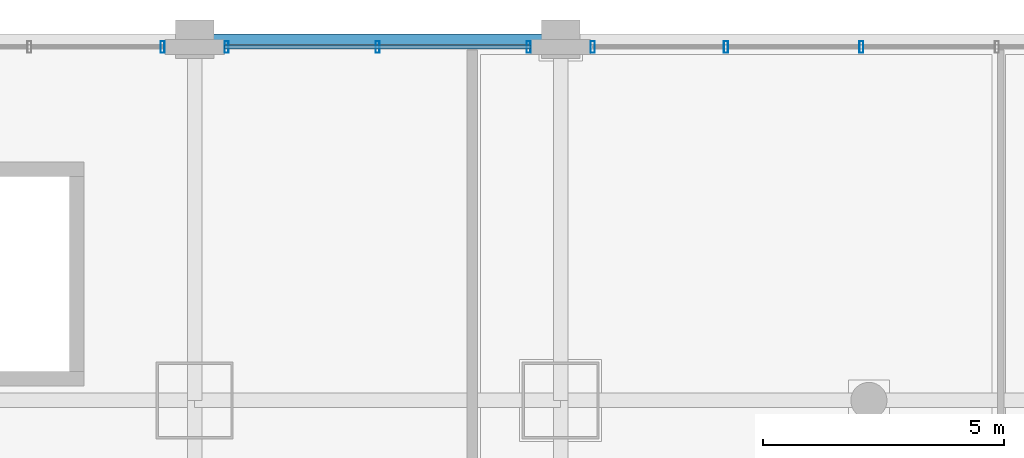
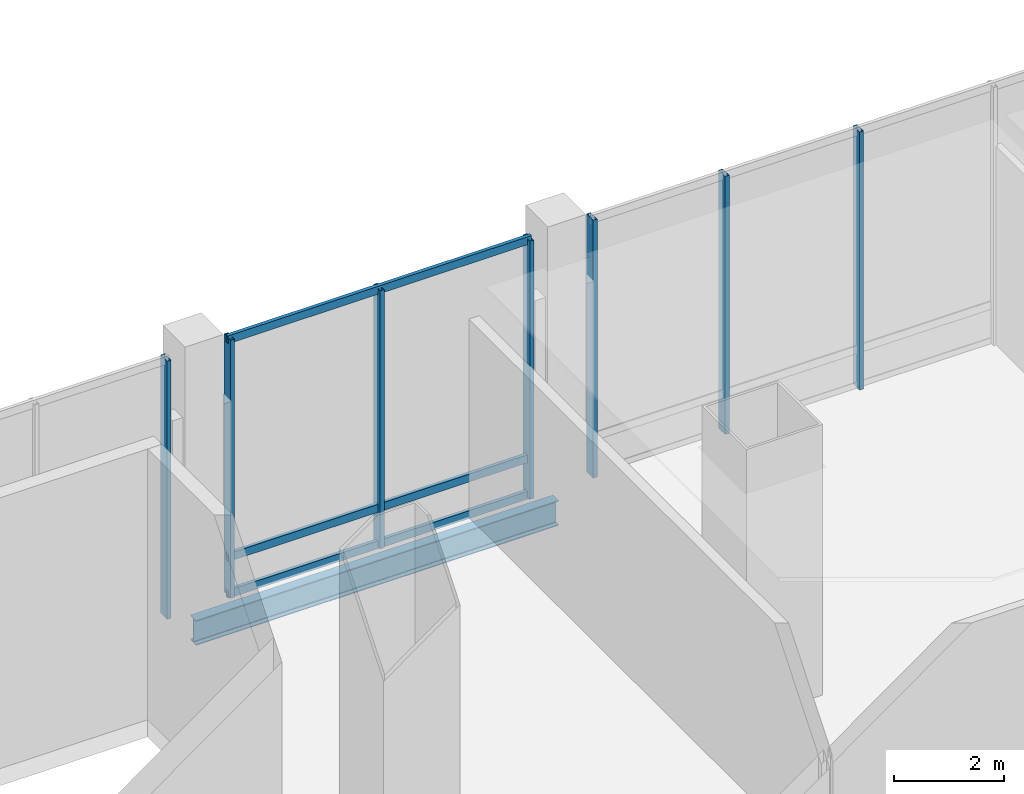
# One storey, part 16 of 38: 10 members, 1 beam, 3 elements without a shape of their own.
"""IFC4 building model written with IfcOpenShell, lengths in metres."""

from ifc_helpers import new_model, si_unit, direction, frame, origin, origin_2d, place, context, subcontext, project, spatial, hollow_rectangle, i_section, extrude, material, material_profile, profile_set, type_object, element, aggregate, save


model = new_model("IFC4")

# Units and contexts
model_context = context("Model", 3, precision=1e-05, world=origin(), true_north=direction((0.0, 1.0)))
body_context = subcontext(model_context, "Body", "Model", "MODEL_VIEW")
ifc_project = project(units=[si_unit("LENGTHUNIT", "METRE"), si_unit("AREAUNIT", "SQUARE_METRE"), si_unit("VOLUMEUNIT", "CUBIC_METRE"), si_unit("PLANEANGLEUNIT", "RADIAN"), si_unit("MASSUNIT", "GRAM", prefix="KILO")], contexts=[model_context])

# Site, building, storey
site_placement = place(None, origin())
site = spatial("IfcSite", under=ifc_project, at=site_placement, CompositionType="ELEMENT")
building_placement = place(site_placement, origin())
building = spatial("IfcBuilding", under=site, at=building_placement, Name="Punatoya Terracotta Tower", CompositionType="ELEMENT")
storey_placement = place(building_placement, frame((0.0, 0.0, 22.199951171875)))
storey = spatial("IfcBuildingStorey", under=building, at=storey_placement, Name="L04", CompositionType="ELEMENT", Elevation=22.199951171875)

# Beam
ifc_material_1 = material(Name="Steel S355", Category="steel")
ifc_material_profile_1 = material_profile(ifc_material_1, i_section(OverallWidth=0.2099609375, OverallDepth=0.550048828125, WebThickness=0.010986328125, FlangeThickness=0.01708984375, FilletRadius=0.01806640625, at=origin_2d()))
ifc_profile_set_1 = profile_set([ifc_material_profile_1], Name="Steel S355")
beam_type = type_object("IfcBeamType", Name="BM-SPN-550", PredefinedType="SPANDREL", material=ifc_profile_set_1)
beam_placement = place(storey_placement, frame((-3.800048828125, 25.0, -0.655029296875), z_axis=(1.0, 0.0, 0.0), x_axis=(0.0, 1.0, 0.0)))
element("IfcBeam", 1, at=beam_placement, inside=storey, type_object=beam_type, Name="BM-L04-MIDH-2", PredefinedType="SPANDREL", context=body_context, shape_type="SweptSolid", body=[
    extrude(i_section(OverallWidth=0.2099609375, OverallDepth=0.550048828125, WebThickness=0.010986328125, FlangeThickness=0.01708984375, FilletRadius=0.01806640625, at=origin_2d()), origin(), (0.0, 0.0, 1.0), 7.60009765625),
])

# Curtain wall, member
ifc_material_2 = material(Name="Aluminium 6063-T6 + Double Low-E Glass", Category="aluminium")
curtain_wall_type = type_object("IfcCurtainWallType", Name="CW-POD", PredefinedType="NOTDEFINED", material=ifc_material_2)
curtain_wall_1_placement = place(storey_placement, origin())
curtain_wall_1 = element("IfcCurtainWall", 2, at=curtain_wall_1_placement, inside=storey, type_object=curtain_wall_type, Name="L04 Curtain Wall CWP-L04-N3", PredefinedType="NOTDEFINED")
ifc_material_3 = material(Name="Aluminium 6063-T6", Category="aluminium")
ifc_material_profile_2 = material_profile(ifc_material_3, hollow_rectangle(XDim=0.0849609375, YDim=0.239990234375, WallThickness=0.0048828125, at=origin_2d()))
ifc_profile_set_2 = profile_set([ifc_material_profile_2], Name="Aluminium 6063-T6")
member_type_1 = type_object("IfcMemberType", Name="CW-MUL-POD", PredefinedType="MULLION", material=ifc_profile_set_2)
member_1_placement = place(storey_placement, frame((-4.465087890625, 24.840087890625, 0.0), z_axis=(0.0, 0.0, 1.0), x_axis=(1.0, 0.0, 0.0)))
member_1 = element("IfcMember", 3, at=member_1_placement, type_object=member_type_1, Name="CWP-L04-N3 Mullion 00", PredefinedType="MULLION", context=body_context, shape_type="SweptSolid", body=[
    extrude(hollow_rectangle(XDim=0.0849609375, YDim=0.239990234375, WallThickness=0.0048828125, at=origin_2d()), origin(), (0.0, 0.0, 1.0), 5.719970703125),
])
aggregate(curtain_wall_1, [member_1])

# Curtain wall, members
curtain_wall_2_placement = place(storey_placement, origin())
curtain_wall_2 = element("IfcCurtainWall", 4, at=curtain_wall_2_placement, inside=storey, type_object=curtain_wall_type, Name="L04 Curtain Wall CWP-L04-N4", PredefinedType="NOTDEFINED")
member_2_placement = place(storey_placement, frame((3.135009765625, 24.840087890625, 0.0), z_axis=(0.0, 0.0, 1.0), x_axis=(1.0, 0.0, 0.0)))
member_2 = element("IfcMember", 5, at=member_2_placement, type_object=member_type_1, Name="CWP-L04-N4 Mullion 00", PredefinedType="MULLION", context=body_context, shape_type="SweptSolid", body=[
    extrude(hollow_rectangle(XDim=0.0849609375, YDim=0.239990234375, WallThickness=0.0048828125, at=origin_2d()), origin(), (0.0, 0.0, 1.0), 5.719970703125),
])
member_3_placement = place(storey_placement, frame((0.0, 24.840087890625, 0.0), z_axis=(0.0, 0.0, 1.0), x_axis=(1.0, 0.0, 0.0)))
member_3 = element("IfcMember", 6, at=member_3_placement, type_object=member_type_1, Name="CWP-L04-N4 Mullion 01", PredefinedType="MULLION", context=body_context, shape_type="SweptSolid", body=[
    extrude(hollow_rectangle(XDim=0.0849609375, YDim=0.239990234375, WallThickness=0.0048828125, at=origin_2d()), origin(), (0.0, 0.0, 1.0), 5.719970703125),
])
member_4_placement = place(storey_placement, frame((-3.135009765625, 24.840087890625, 0.0), z_axis=(0.0, 0.0, 1.0), x_axis=(1.0, 0.0, 0.0)))
member_4 = element("IfcMember", 7, at=member_4_placement, type_object=member_type_1, Name="CWP-L04-N4 Mullion 02", PredefinedType="MULLION", context=body_context, shape_type="SweptSolid", body=[
    extrude(hollow_rectangle(XDim=0.0849609375, YDim=0.239990234375, WallThickness=0.0048828125, at=origin_2d()), origin(), (0.0, 0.0, 1.0), 5.719970703125),
])

curtain_wall_3_placement = place(storey_placement, origin())
curtain_wall_3 = element("IfcCurtainWall", 8, at=curtain_wall_3_placement, inside=storey, type_object=curtain_wall_type, Name="L04 Curtain Wall CWP-L04-N5", PredefinedType="NOTDEFINED")
member_5_placement = place(storey_placement, frame((10.0439453125, 24.840087890625, 0.0), z_axis=(0.0, 0.0, 1.0), x_axis=(1.0, 0.0, 0.0)))
member_5 = element("IfcMember", 9, at=member_5_placement, type_object=member_type_1, Name="CWP-L04-N5 Mullion 03", PredefinedType="MULLION", context=body_context, shape_type="SweptSolid", body=[
    extrude(hollow_rectangle(XDim=0.0849609375, YDim=0.239990234375, WallThickness=0.0048828125, at=origin_2d()), origin(), (0.0, 0.0, 1.0), 5.719970703125),
])
member_6_placement = place(storey_placement, frame((7.23193359375, 24.840087890625, 0.0), z_axis=(0.0, 0.0, 1.0), x_axis=(1.0, 0.0, 0.0)))
member_6 = element("IfcMember", 10, at=member_6_placement, type_object=member_type_1, Name="CWP-L04-N5 Mullion 04", PredefinedType="MULLION", context=body_context, shape_type="SweptSolid", body=[
    extrude(hollow_rectangle(XDim=0.0849609375, YDim=0.239990234375, WallThickness=0.0048828125, at=origin_2d()), origin(), (0.0, 0.0, 1.0), 5.719970703125),
])
member_7_placement = place(storey_placement, frame((4.465087890625, 24.840087890625, 0.0), z_axis=(0.0, 0.0, 1.0), x_axis=(1.0, 0.0, 0.0)))
member_7 = element("IfcMember", 11, at=member_7_placement, type_object=member_type_1, Name="CWP-L04-N5 Mullion 05", PredefinedType="MULLION", context=body_context, shape_type="SweptSolid", body=[
    extrude(hollow_rectangle(XDim=0.0849609375, YDim=0.239990234375, WallThickness=0.0048828125, at=origin_2d()), origin(), (0.0, 0.0, 1.0), 5.719970703125),
])
aggregate(curtain_wall_3, [member_5, member_6, member_7])

# Member
ifc_material_profile_3 = material_profile(ifc_material_3, hollow_rectangle(XDim=0.074951171875, YDim=0.175048828125, WallThickness=0.00439453125, at=origin_2d()))
ifc_profile_set_3 = profile_set([ifc_material_profile_3], Name="Aluminium 6063-T6")
member_type_2 = type_object("IfcMemberType", Name="CW-TRN-POD", PredefinedType="USERDEFINED", material=ifc_profile_set_3)
member_8_placement = place(storey_placement, frame((3.179931640625, 24.840087890625, 0.0400390625), z_axis=(-1.0, 0.0, 0.0), x_axis=(0.0, -1.0, 0.0)))
member_8 = element("IfcMember", 12, at=member_8_placement, type_object=member_type_2, Name="CWP-L04-N4 Transom 1", ObjectType="TRANSOM", PredefinedType="USERDEFINED", context=body_context, shape_type="SweptSolid", body=[
    extrude(hollow_rectangle(XDim=0.074951171875, YDim=0.175048828125, WallThickness=0.00439453125, at=origin_2d()), origin(), (0.0, 0.0, 1.0), 6.35986328125),
])

member_9_placement = place(storey_placement, frame((3.179931640625, 24.840087890625, 0.85009765625), z_axis=(-1.0, 0.0, 0.0), x_axis=(0.0, -1.0, 0.0)))
member_9 = element("IfcMember", 13, at=member_9_placement, type_object=member_type_2, Name="CWP-L04-N4 Transom 2", ObjectType="TRANSOM", PredefinedType="USERDEFINED", context=body_context, shape_type="SweptSolid", body=[
    extrude(hollow_rectangle(XDim=0.074951171875, YDim=0.175048828125, WallThickness=0.00439453125, at=origin_2d()), origin(), (0.0, 0.0, 1.0), 6.35986328125),
])

member_10_placement = place(storey_placement, frame((3.179931640625, 24.840087890625, 5.679931640625), z_axis=(-1.0, 0.0, 0.0), x_axis=(0.0, -1.0, 0.0)))
member_10 = element("IfcMember", 14, at=member_10_placement, type_object=member_type_2, Name="CWP-L04-N4 Transom 3", ObjectType="TRANSOM", PredefinedType="USERDEFINED", context=body_context, shape_type="SweptSolid", body=[
    extrude(hollow_rectangle(XDim=0.074951171875, YDim=0.175048828125, WallThickness=0.00439453125, at=origin_2d()), origin(), (0.0, 0.0, 1.0), 6.35986328125),
])

aggregate(curtain_wall_2, [member_2, member_3, member_4, member_8, member_9, member_10])

save(model, "model.ifc")
